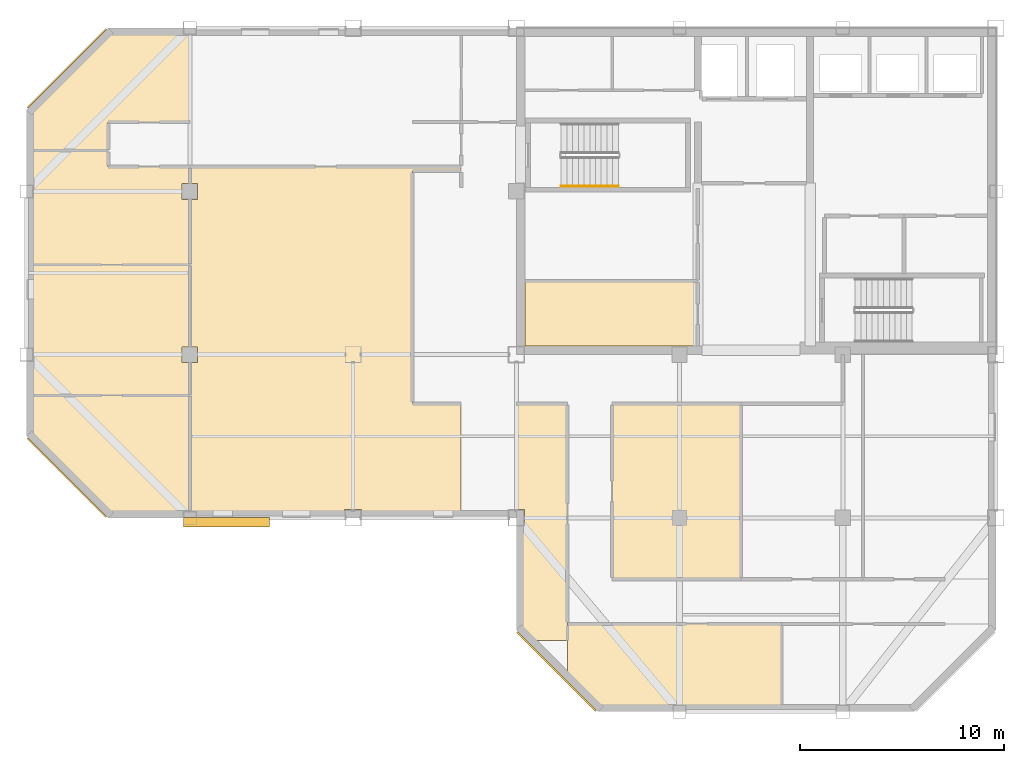
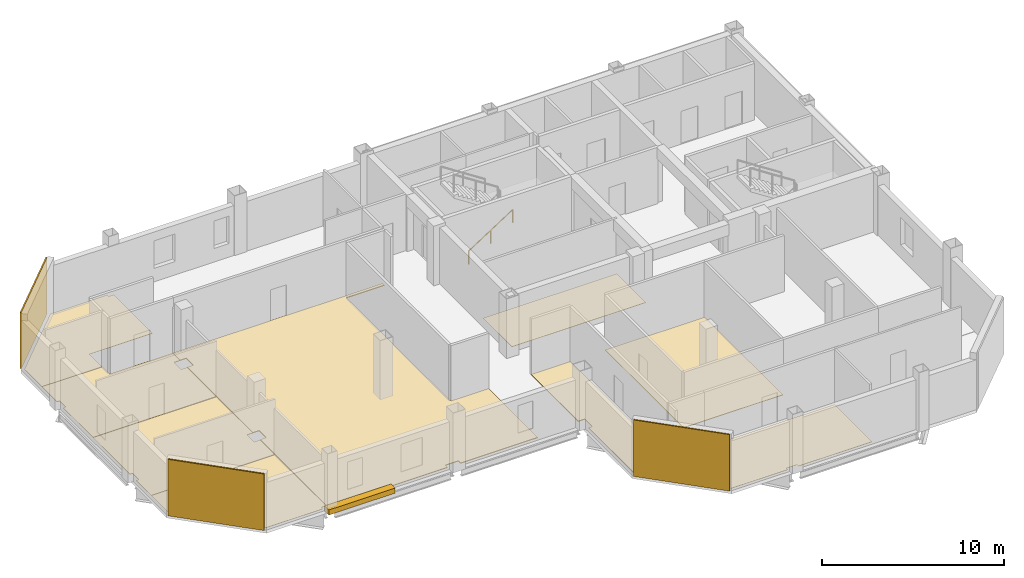
# One storey, part 5 of 7: 12 coverings, 1 railing, 1 shading device.
"""IFC4 building model written with IfcOpenShell, lengths in metres."""

from ifc_helpers import new_model, si_unit, direction, frame, origin, origin_2d, place, context, subcontext, project, spatial, polyline, rectangle, circle, outline, extrude, material, layer, layer_set, type_object, element, save


model = new_model("IFC4")

# Units and contexts
model_context = context("Model", 3, precision=1e-05, world=origin(), true_north=direction((0.0, 1.0)))
body_context = subcontext(model_context, "Body", "Model", "MODEL_VIEW")
ifc_project = project(units=[si_unit("LENGTHUNIT", "METRE"), si_unit("AREAUNIT", "SQUARE_METRE"), si_unit("VOLUMEUNIT", "CUBIC_METRE"), si_unit("PLANEANGLEUNIT", "RADIAN"), si_unit("MASSUNIT", "GRAM", prefix="KILO")], contexts=[model_context])

# Site, building, storey
site_placement = place(None, origin())
site = spatial("IfcSite", under=ifc_project, at=site_placement, CompositionType="ELEMENT")
building_placement = place(site_placement, origin())
building = spatial("IfcBuilding", under=site, at=building_placement, Name="Qianrong Seaharbour Tower", CompositionType="ELEMENT")
storey_placement = place(building_placement, frame((0.0, 0.0, 331.199951171875)))
storey = spatial("IfcBuildingStorey", under=building, at=storey_placement, Name="L80", CompositionType="ELEMENT", Elevation=331.199951171875)

# Coverings
ifc_material_1 = material(Name="Unitised red brick cladding on Precast concrete C45/55", Category="masonry")
ifc_layer_1 = layer(ifc_material_1, 0.080078125)
ifc_layer_set_1 = layer_set([ifc_layer_1], Name="Unitised red brick cladding on Precast concrete C45/55")
covering_type_1 = type_object("IfcCoveringType", Name="COV-CLAD-RED-BRICK-80", PredefinedType="CLADDING", material=ifc_layer_set_1)
for number, where, z_axis, x_axis, name in (
    (1, (18.4716796875, 29.9716796875, 0.0), (0.0, 0.0, 1.0), (-0.707106781187, 0.707106781187, 0.0), "L80 Chamfer Corner Brick Cladding 02"),
    (2, (18.4716796875, 50.0283203125, 0.0), (0.0, 0.0, 1.0), (0.707106781187, 0.707106781187, 0.0), "L80 Chamfer Corner Brick Cladding 04"),
    (3, (42.4716796875, 20.4716796875, 0.0), (0.0, 0.0, 1.0), (-0.707106781187, 0.707106781187, 0.0), "L80 Chamfer Corner Brick Cladding 09"),
):
    element("IfcCovering", number, at=place(storey_placement, frame(where, z_axis=z_axis, x_axis=x_axis)), inside=storey, type_object=covering_type_1, Name=name, PredefinedType="CLADDING", context=body_context, shape_type="SweptSolid", body=[
        extrude(rectangle(XDim=5.456787109375, YDim=0.080078125, at=origin_2d()), origin(), (0.0, 0.0, 1.0), 3.784912109375),
    ])
ifc_material_2 = material(Name="Acoustic modular carpet tile flooring")
ifc_layer_2 = layer(ifc_material_2, 0.02001953125)
ifc_layer_set_2 = layer_set([ifc_layer_2], Name="Acoustic modular carpet tile flooring")
covering_type_2 = type_object("IfcCoveringType", Name="COV-FLOOR-CARPET-20", PredefinedType="FLOORING", material=ifc_layer_set_2)
covering_1_placement = place(storey_placement, origin())
element("IfcCovering", 4, at=covering_1_placement, inside=storey, type_object=covering_type_2, Name="L80 Wellness Room Finish Flooring", PredefinedType="FLOORING", context=body_context, shape_type="SweptSolid", body=[
    extrude(outline(polyline([(49.39990234375, 39.60009765625), (49.39990234375, 36.419921875), (40.919921875, 36.419921875), (40.919921875, 39.60009765625), (49.39990234375, 39.60009765625)])), origin(), (0.0, 0.0, 1.0), 0.02001953125),
])
covering_2_placement = place(storey_placement, origin())
element("IfcCovering", 5, at=covering_2_placement, inside=storey, type_object=covering_type_2, Name="L80 Harbour Sunset Lounge 1 Finish Flooring", PredefinedType="FLOORING", context=body_context, shape_type="SweptSolid", body=[
    extrude(outline(polyline([(20.572509765625, 28.175048828125), (16.675048828125, 32.072509765625), (16.675048828125, 34.0), (24.5, 34.0), (24.5, 28.3349609375), (24.1650390625, 28.3349609375), (24.1650390625, 28.175048828125), (20.572509765625, 28.175048828125)])), origin(), (0.0, 0.0, 1.0), 0.02001953125),
])
covering_3_placement = place(storey_placement, origin())
element("IfcCovering", 6, at=covering_3_placement, inside=storey, type_object=covering_type_2, Name="L80 Barista Coffee Pantry 2 Finish Flooring", PredefinedType="FLOORING", context=body_context, shape_type="SweptSolid", body=[
    extrude(outline(polyline([(16.675048828125, 34.0), (16.675048828125, 35.6650390625), (16.8349609375, 35.6650390625), (16.8349609375, 36.3349609375), (16.675048828125, 36.3349609375), (16.675048828125, 40.39990234375), (24.5, 40.39990234375), (24.5, 36.385009765625), (24.114990234375, 36.385009765625), (24.114990234375, 35.614990234375), (24.5, 35.614990234375), (24.5, 34.0), (16.675048828125, 34.0)])), origin(), (0.0, 0.0, 1.0), 0.02001953125),
])
covering_4_placement = place(storey_placement, origin())
element("IfcCovering", 7, at=covering_4_placement, inside=storey, type_object=covering_type_2, Name="L80 Quiet Sitting Lounge 4 Finish Flooring", PredefinedType="FLOORING", context=body_context, shape_type="SweptSolid", body=[
    extrude(outline(polyline([(16.675048828125, 47.927490234375), (20.572509765625, 51.824951171875), (24.1650390625, 51.824951171875), (24.1650390625, 51.6650390625), (24.5, 51.6650390625), (24.5, 47.39990234375), (20.5, 47.39990234375), (20.5, 46.0), (16.675048828125, 46.0), (16.675048828125, 47.927490234375)])), origin(), (0.0, 0.0, 1.0), 0.02001953125),
])
covering_5_placement = place(storey_placement, origin())
element("IfcCovering", 8, at=covering_5_placement, inside=storey, type_object=covering_type_2, Name="L80 South View Lounge 1 Finish Flooring", PredefinedType="FLOORING", context=body_context, shape_type="SweptSolid", body=[
    extrude(outline(polyline([(53.5, 18.675048828125), (48.8349609375, 18.675048828125), (48.8349609375, 18.8349609375), (48.1650390625, 18.8349609375), (48.1650390625, 18.675048828125), (44.572509765625, 18.675048828125), (43.0, 20.24755859375), (43.0, 22.800048828125), (53.5, 22.800048828125), (53.5, 18.675048828125)])), origin(), (0.0, 0.0, 1.0), 0.02001953125),
])
ifc_material_3 = material(Name="Honed granite stone flooring", Category="masonry")
ifc_layer_3 = layer(ifc_material_3, 0.030029296875)
ifc_layer_set_3 = layer_set([ifc_layer_3], Name="Honed granite stone flooring")
covering_type_3 = type_object("IfcCoveringType", Name="COV-FLOOR-GRANITE-30", PredefinedType="FLOORING", material=ifc_layer_set_3)
covering_6_placement = place(storey_placement, origin())
element("IfcCovering", 9, at=covering_6_placement, inside=storey, type_object=covering_type_3, Name="L80 Hospitality Dining Room 3 Finish Flooring", PredefinedType="FLOORING", context=body_context, shape_type="SweptSolid", body=[
    extrude(outline(polyline([(16.675048828125, 40.39990234375), (16.675048828125, 43.6650390625), (16.8349609375, 43.6650390625), (16.8349609375, 44.3349609375), (16.675048828125, 44.3349609375), (16.675048828125, 46.0), (20.5, 46.0), (20.5, 45.199951171875), (24.5, 45.199951171875), (24.5, 44.385009765625), (24.114990234375, 44.385009765625), (24.114990234375, 43.614990234375), (24.5, 43.614990234375), (24.5, 40.39990234375), (16.675048828125, 40.39990234375)])), origin(), (0.0, 0.0, 1.0), 0.030029296875),
])
covering_7_placement = place(storey_placement, origin())
element("IfcCovering", 10, at=covering_7_placement, inside=storey, type_object=covering_type_3, Name="L80 East Harbour Dining Salon 1 Finish Flooring", PredefinedType="FLOORING", context=body_context, shape_type="SweptSolid", body=[
    extrude(outline(polyline([(51.5, 33.60009765625), (51.5, 25.0), (45.199951171875, 25.0), (45.199951171875, 33.60009765625), (51.5, 33.60009765625)])), origin(), (0.0, 0.0, 1.0), 0.030029296875),
])
ifc_material_4 = material(Name="Calcium-sulphate raised access floor tile")
ifc_layer_4 = layer(ifc_material_4, 0.044921875)
ifc_layer_set_4 = layer_set([ifc_layer_4], Name="Calcium-sulphate raised access floor tile")
covering_type_4 = type_object("IfcCoveringType", Name="COV-FLOOR-RAISED-45", PredefinedType="FLOORING", material=ifc_layer_set_4)
covering_8_placement = place(storey_placement, origin())
element("IfcCovering", 11, at=covering_8_placement, inside=storey, type_object=covering_type_4, Name="L80 Central Spine Open-Plan Office Finish Flooring", PredefinedType="FLOORING", context=body_context, shape_type="SweptSolid", body=[
    extrude(outline(polyline([(24.5, 35.614990234375), (24.885009765625, 35.614990234375), (24.885009765625, 36.385009765625), (24.5, 36.385009765625), (24.5, 43.614990234375), (24.885009765625, 43.614990234375), (24.885009765625, 44.385009765625), (24.5, 44.385009765625), (24.5, 45.199951171875), (37.800048828125, 45.199951171875), (37.800048828125, 45.0), (35.39990234375, 45.0), (35.39990234375, 33.60009765625), (37.800048828125, 33.60009765625), (37.800048828125, 28.175048828125), (32.909912109375, 28.175048828125), (32.909912109375, 28.409912109375), (32.090087890625, 28.409912109375), (32.090087890625, 28.175048828125), (24.8349609375, 28.175048828125), (24.8349609375, 28.3349609375), (24.5, 28.3349609375), (24.5, 35.614990234375)])), origin(), (0.0, 0.0, 1.0), 0.045166015625),
])
covering_9_placement = place(storey_placement, origin())
element("IfcCovering", 12, at=covering_9_placement, inside=storey, type_object=covering_type_4, Name="L80 Concierge Office 2 Finish Flooring", PredefinedType="FLOORING", context=body_context, shape_type="SweptSolid", body=[
    extrude(outline(polyline([(43.0, 22.0), (41.24755859375, 22.0), (40.675048828125, 22.572509765625), (40.675048828125, 27.590087890625), (40.909912109375, 27.590087890625), (40.909912109375, 28.409912109375), (40.5, 28.409912109375), (40.5, 33.60009765625), (43.0, 33.60009765625), (43.0, 22.0)])), origin(), (0.0, 0.0, 1.0), 0.045166015625),
])

# Railing
ifc_material_5 = material(Name="Stainless steel SUS316L continuous handrail", Category="steel")
railing_type = type_object("IfcRailingType", Name="RAIL-STAIR-HANDRAIL-900", PredefinedType="HANDRAIL", material=ifc_material_5)
railing_placement = place(storey_placement, frame((42.699951171875, 44.25, 0.181884765625)))
element("IfcRailing", 13, at=railing_placement, inside=storey, type_object=railing_type, Name="L80 ST-1 stair handrail 1", PredefinedType="HANDRAIL", context=body_context, shape_type="SweptSolid", body=[
    extrude(circle(Radius=0.02392578125, at=origin_2d()), frame((0.0, 0.0, 0.8759765625), z_axis=(0.838705829183, 0.0, 0.544584733623), x_axis=(0.0, 1.0, 0.0)), (0.0, 0.0, 1.0), 3.338623046875),
    extrude(circle(Radius=0.02099609375, at=origin_2d()), origin(), (0.0, 0.0, 1.0), 0.851806640625),
    extrude(circle(Radius=0.02099609375, at=origin_2d()), frame((1.39990234375, 0.0, 0.9091796875)), (0.0, 0.0, 1.0), 0.851806640625),
    extrude(circle(Radius=0.02099609375, at=origin_2d()), frame((2.800048828125, 0.0, 1.818115234375)), (0.0, 0.0, 1.0), 0.851806640625),
])

# Shading device
ifc_material_6 = material(Name="White architectural precast concrete C45/55", Category="concrete")
shading_device_type = type_object("IfcShadingDeviceType", Name="SHD-SUNSHADE-WHITE-320", PredefinedType="AWNING", material=ifc_material_6)
shading_device_placement = place(storey_placement, frame((26.300048828125, 27.780029296875, -0.02001953125), z_axis=(0.0, 0.0, 1.0), x_axis=(1.0, 0.0, 0.0)))
element("IfcShadingDevice", 14, at=shading_device_placement, inside=storey, type_object=shading_device_type, Name="L80 Climbing White Precast Ribbon Canopy Fin", PredefinedType="AWNING", context=body_context, shape_type="SweptSolid", body=[
    extrude(rectangle(XDim=4.199951171875, YDim=0.4599609375, at=origin_2d()), origin(), (0.0, 0.0, 1.0), 0.340087890625),
])

save(model, "model.ifc")
